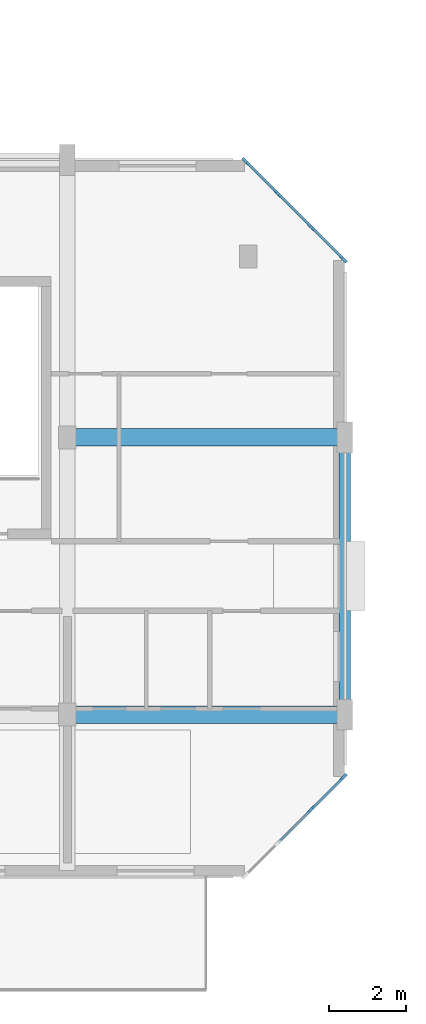
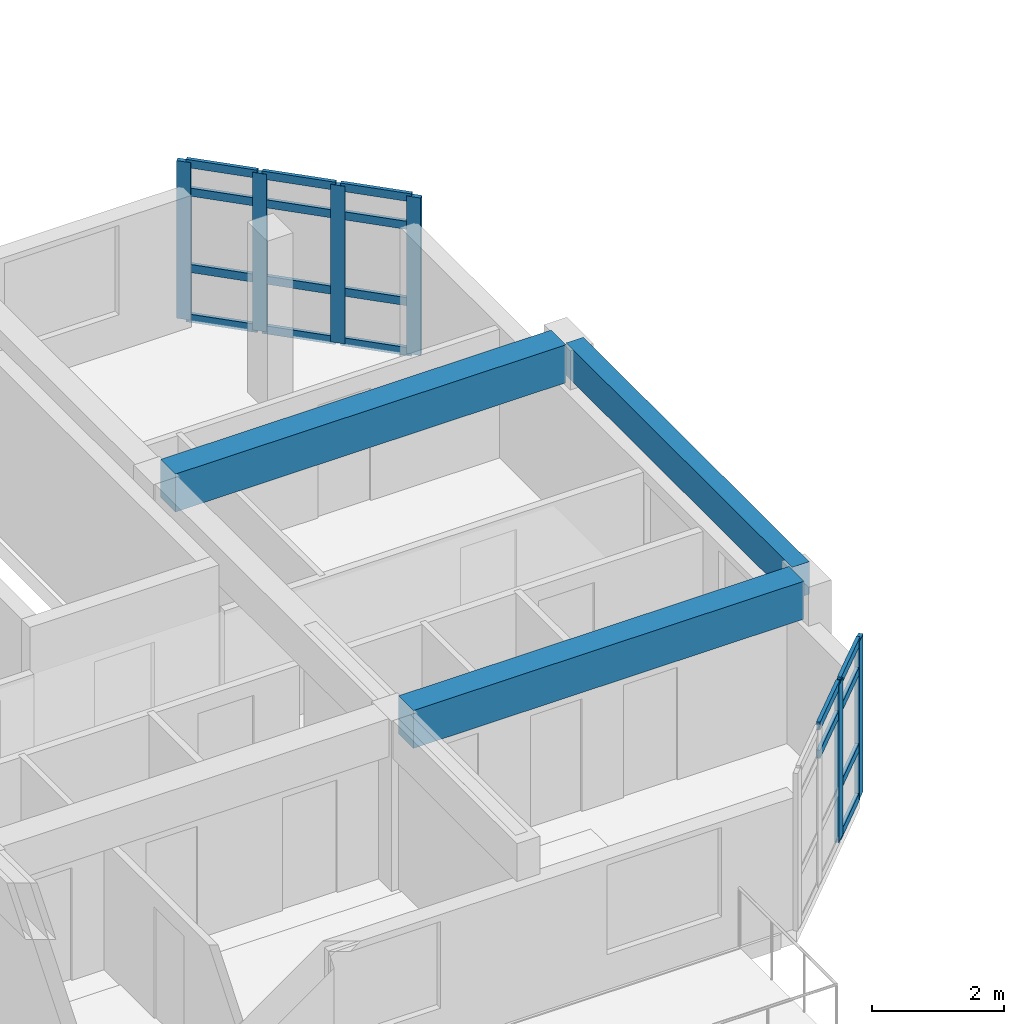
# One storey, part 4 of 40: 24 members, 3 beams, 2 elements without a shape of their own.
"""IFC4 building model written with IfcOpenShell, lengths in metres."""

from ifc_helpers import new_model, si_unit, direction, frame, origin, origin_2d, place, context, subcontext, project, spatial, rectangle, extrude, material, layer, layer_set, material_profile, profile_set, type_object, element, aggregate, save


model = new_model("IFC4")

# Units and contexts
model_context = context("Model", 3, precision=1e-05, world=origin(), true_north=direction((0.0, 1.0)))
body_context = subcontext(model_context, "Body", "Model", "MODEL_VIEW")
ifc_project = project(units=[si_unit("LENGTHUNIT", "METRE"), si_unit("AREAUNIT", "SQUARE_METRE"), si_unit("VOLUMEUNIT", "CUBIC_METRE"), si_unit("PLANEANGLEUNIT", "RADIAN"), si_unit("MASSUNIT", "GRAM", prefix="KILO")], contexts=[model_context])

# Site, building, storey
site_placement = place(None, origin())
site = spatial("IfcSite", under=ifc_project, at=site_placement, CompositionType="ELEMENT")
building_placement = place(site_placement, origin())
building = spatial("IfcBuilding", under=site, at=building_placement, Name="Ochrevale Crest", CompositionType="ELEMENT")
storey_placement = place(building_placement, frame((0.0, 0.0, 27.60009765625)))
storey = spatial("IfcBuildingStorey", under=building, at=storey_placement, Name="L08", CompositionType="ELEMENT", Elevation=27.60009765625)

# Beams
ifc_material_1 = material(Name="Concrete C50/60", Category="concrete")
ifc_material_profile_1 = material_profile(ifc_material_1, rectangle(XDim=0.449951171875, YDim=0.699951171875, at=origin_2d()), Name="RC 450x700")
ifc_profile_set_1 = profile_set([ifc_material_profile_1], Name="Concrete C50/60")
beam_type_1 = type_object("IfcBeamType", Name="BM-PG450x700", PredefinedType="USERDEFINED", material=ifc_profile_set_1)
for number, where, z_axis, x_axis, name in (
    (1, (29.0, 21.60009765625, 2.7998046875), (1.0, 0.0, 0.0), (0.0, 1.0, 0.0), "Block A L08 E-W beam Y=21.6"),
    (2, (29.0, 28.800048828125, 2.7998046875), (1.0, 0.0, 0.0), (0.0, 1.0, 0.0), "Block A L08 E-W beam Y=28.8"),
):
    element("IfcBeam", number, at=place(storey_placement, frame(where, z_axis=z_axis, x_axis=x_axis)), inside=storey, type_object=beam_type_1, Name=name, ObjectType="GIRDER", PredefinedType="USERDEFINED", context=body_context, shape_type="SweptSolid", body=[
        extrude(rectangle(XDim=0.449951171875, YDim=0.699951171875, at=origin_2d()), origin(), (0.0, 0.0, 1.0), 6.824951171875),
    ])
ifc_material_2 = material(Name="Precast concrete C40/50", Category="concrete")
ifc_material_profile_2 = material_profile(ifc_material_2, rectangle(XDim=0.300048828125, YDim=0.60009765625, at=origin_2d()), Name="PC 300x600")
ifc_profile_set_2 = profile_set([ifc_material_profile_2], Name="Precast concrete C40/50")
beam_type_2 = type_object("IfcBeamType", Name="BM-SP300x600", PredefinedType="SPANDREL", material=ifc_profile_set_2)
beam_placement = place(storey_placement, frame((36.0, 21.780029296875, 2.849853515625), z_axis=(0.0, 1.0, 0.0), x_axis=(-1.0, 0.0, 0.0)))
element("IfcBeam", 3, at=beam_placement, inside=storey, type_object=beam_type_2, Name="Block A L08 N-S beam X=36.0", PredefinedType="SPANDREL", context=body_context, shape_type="SweptSolid", body=[
    extrude(rectangle(XDim=0.300048828125, YDim=0.60009765625, at=origin_2d()), origin(), (0.0, 0.0, 1.0), 6.840087890625),
])

# Curtain wall, members
ifc_material_3 = material(Name="Anodised aluminium 6063-T5", Category="aluminium")
ifc_layer_1 = layer(ifc_material_3, 0.14990234375)
ifc_layer_set_1 = layer_set([ifc_layer_1], Name="Anodised aluminium 6063-T5")
curtain_wall_type_1 = type_object("IfcCurtainWallType", Name="CW-WG-240x285", PredefinedType="NOTDEFINED", material=ifc_layer_set_1)
curtain_wall_1_placement = place(storey_placement, origin())
curtain_wall_1 = element("IfcCurtainWall", 4, at=curtain_wall_1_placement, inside=storey, type_object=curtain_wall_type_1, Name="Block A L08 chamfered corner wintergarden curtain wall 2", PredefinedType="NOTDEFINED")
ifc_material_profile_3 = material_profile(ifc_material_3, rectangle(XDim=0.074951171875, YDim=0.219970703125, at=origin_2d()), Name="ALU 75x220")
ifc_profile_set_3 = profile_set([ifc_material_profile_3], Name="Anodised aluminium 6063-T5")
member_type_1 = type_object("IfcMemberType", Name="CW-MUL-75x220", PredefinedType="MULLION", material=ifc_profile_set_3)
member_1_placement = place(storey_placement, frame((35.13330078125, 19.13330078125, 0.0), z_axis=(0.0, 0.0, 1.0), x_axis=(-0.707106781187, 0.707106781187, 0.0)))
member_1 = element("IfcMember", 5, at=member_1_placement, type_object=member_type_1, Name="CW15 mullion 3", PredefinedType="MULLION", context=body_context, shape_type="SweptSolid", body=[
    extrude(rectangle(XDim=0.074951171875, YDim=0.219970703125, at=origin_2d()), origin(), (0.0, 0.0, 1.0), 2.909912109375),
])
member_2_placement = place(storey_placement, frame((35.973388671875, 19.973388671875, 0.0), z_axis=(0.0, 0.0, 1.0), x_axis=(-0.707106781187, 0.707106781187, 0.0)))
member_2 = element("IfcMember", 6, at=member_2_placement, type_object=member_type_1, Name="CW15 mullion 4", PredefinedType="MULLION", context=body_context, shape_type="SweptSolid", body=[
    extrude(rectangle(XDim=0.074951171875, YDim=0.219970703125, at=origin_2d()), origin(), (0.0, 0.0, 1.0), 2.909912109375),
])

ifc_layer_2 = layer(ifc_material_3, 0.14990234375)
ifc_layer_set_2 = layer_set([ifc_layer_2], Name="Anodised aluminium 6063-T5")
curtain_wall_type_2 = type_object("IfcCurtainWallType", Name="CW-WG-320x285", PredefinedType="NOTDEFINED", material=ifc_layer_set_2)
curtain_wall_2_placement = place(storey_placement, origin())
curtain_wall_2 = element("IfcCurtainWall", 7, at=curtain_wall_2_placement, inside=storey, type_object=curtain_wall_type_2, Name="Block A L08 chamfered corner wintergarden curtain wall 4", PredefinedType="NOTDEFINED")
member_3_placement = place(storey_placement, frame((35.973388671875, 33.426513671875, 0.0), z_axis=(0.0, 0.0, 1.0), x_axis=(-0.707106781187, -0.707106781187, 0.0)))
member_3 = element("IfcMember", 8, at=member_3_placement, type_object=member_type_1, Name="CW17 mullion 1", PredefinedType="MULLION", context=body_context, shape_type="SweptSolid", body=[
    extrude(rectangle(XDim=0.074951171875, YDim=0.219970703125, at=origin_2d()), origin(), (0.0, 0.0, 1.0), 2.909912109375),
])
member_4_placement = place(storey_placement, frame((35.13330078125, 34.2666015625, 0.0), z_axis=(0.0, 0.0, 1.0), x_axis=(-0.707106781187, -0.707106781187, 0.0)))
member_4 = element("IfcMember", 9, at=member_4_placement, type_object=member_type_1, Name="CW17 mullion 2", PredefinedType="MULLION", context=body_context, shape_type="SweptSolid", body=[
    extrude(rectangle(XDim=0.074951171875, YDim=0.219970703125, at=origin_2d()), origin(), (0.0, 0.0, 1.0), 2.909912109375),
])
member_5_placement = place(storey_placement, frame((34.2666015625, 35.13330078125, 0.0), z_axis=(0.0, 0.0, 1.0), x_axis=(-0.707106781187, -0.707106781187, 0.0)))
member_5 = element("IfcMember", 10, at=member_5_placement, type_object=member_type_1, Name="CW17 mullion 3", PredefinedType="MULLION", context=body_context, shape_type="SweptSolid", body=[
    extrude(rectangle(XDim=0.074951171875, YDim=0.219970703125, at=origin_2d()), origin(), (0.0, 0.0, 1.0), 2.909912109375),
])
member_6_placement = place(storey_placement, frame((33.426513671875, 35.973388671875, 0.0), z_axis=(0.0, 0.0, 1.0), x_axis=(-0.707106781187, -0.707106781187, 0.0)))
member_6 = element("IfcMember", 11, at=member_6_placement, type_object=member_type_1, Name="CW17 mullion 4", PredefinedType="MULLION", context=body_context, shape_type="SweptSolid", body=[
    extrude(rectangle(XDim=0.074951171875, YDim=0.219970703125, at=origin_2d()), origin(), (0.0, 0.0, 1.0), 2.909912109375),
])

# Member
ifc_material_profile_4 = material_profile(ifc_material_3, rectangle(XDim=0.06005859375, YDim=0.14990234375, at=origin_2d()), Name="ALU 60x150")
ifc_profile_set_4 = profile_set([ifc_material_profile_4], Name="Anodised aluminium 6063-T5")
member_type_2 = type_object("IfcMemberType", Name="CW-TRN-60x150", PredefinedType="USERDEFINED", material=ifc_profile_set_4)
member_7_placement = place(storey_placement, frame((34.293212890625, 18.293212890625, 2.35986328125), z_axis=(0.707106781187, 0.707106781187, 0.0), x_axis=(-0.707106781187, 0.707106781187, 0.0)))
member_7 = element("IfcMember", 12, at=member_7_placement, type_object=member_type_2, Name="CW15 transom 2.3", ObjectType="TRANSOM", PredefinedType="USERDEFINED", context=body_context, shape_type="SweptSolid", body=[
    extrude(rectangle(XDim=0.06005859375, YDim=0.14990234375, at=origin_2d()), origin(), (0.0, 0.0, 1.0), 1.15087890625),
])

member_8_placement = place(storey_placement, frame((34.293212890625, 18.293212890625, 2.8798828125), z_axis=(0.707106781187, 0.707106781187, 0.0), x_axis=(-0.707106781187, 0.707106781187, 0.0)))
member_8 = element("IfcMember", 13, at=member_8_placement, type_object=member_type_2, Name="CW15 transom 2.4", ObjectType="TRANSOM", PredefinedType="USERDEFINED", context=body_context, shape_type="SweptSolid", body=[
    extrude(rectangle(XDim=0.06005859375, YDim=0.14990234375, at=origin_2d()), origin(), (0.0, 0.0, 1.0), 1.15087890625),
])

member_9_placement = place(storey_placement, frame((35.159912109375, 19.159912109375, 0.02978515625), z_axis=(0.707106781187, 0.707106781187, 0.0), x_axis=(-0.707106781187, 0.707106781187, 0.0)))
member_9 = element("IfcMember", 14, at=member_9_placement, type_object=member_type_2, Name="CW15 transom 3.1", ObjectType="TRANSOM", PredefinedType="USERDEFINED", context=body_context, shape_type="SweptSolid", body=[
    extrude(rectangle(XDim=0.06005859375, YDim=0.14990234375, at=origin_2d()), origin(), (0.0, 0.0, 1.0), 1.113037109375),
])

member_10_placement = place(storey_placement, frame((35.159912109375, 19.159912109375, 0.949951171875), z_axis=(0.707106781187, 0.707106781187, 0.0), x_axis=(-0.707106781187, 0.707106781187, 0.0)))
member_10 = element("IfcMember", 15, at=member_10_placement, type_object=member_type_2, Name="CW15 transom 3.2", ObjectType="TRANSOM", PredefinedType="USERDEFINED", context=body_context, shape_type="SweptSolid", body=[
    extrude(rectangle(XDim=0.06005859375, YDim=0.14990234375, at=origin_2d()), origin(), (0.0, 0.0, 1.0), 1.113037109375),
])

member_11_placement = place(storey_placement, frame((35.159912109375, 19.159912109375, 2.35986328125), z_axis=(0.707106781187, 0.707106781187, 0.0), x_axis=(-0.707106781187, 0.707106781187, 0.0)))
member_11 = element("IfcMember", 16, at=member_11_placement, type_object=member_type_2, Name="CW15 transom 3.3", ObjectType="TRANSOM", PredefinedType="USERDEFINED", context=body_context, shape_type="SweptSolid", body=[
    extrude(rectangle(XDim=0.06005859375, YDim=0.14990234375, at=origin_2d()), origin(), (0.0, 0.0, 1.0), 1.113037109375),
])

member_12_placement = place(storey_placement, frame((35.159912109375, 19.159912109375, 2.8798828125), z_axis=(0.707106781187, 0.707106781187, 0.0), x_axis=(-0.707106781187, 0.707106781187, 0.0)))
member_12 = element("IfcMember", 17, at=member_12_placement, type_object=member_type_2, Name="CW15 transom 3.4", ObjectType="TRANSOM", PredefinedType="USERDEFINED", context=body_context, shape_type="SweptSolid", body=[
    extrude(rectangle(XDim=0.06005859375, YDim=0.14990234375, at=origin_2d()), origin(), (0.0, 0.0, 1.0), 1.113037109375),
])

aggregate(curtain_wall_1, [member_1, member_2, member_7, member_8, member_9, member_10, member_11, member_12])

member_13_placement = place(storey_placement, frame((35.947021484375, 33.453125, 0.02978515625), z_axis=(-0.707106781187, 0.707106781187, 0.0), x_axis=(-0.707106781187, -0.707106781187, 0.0)))
member_13 = element("IfcMember", 18, at=member_13_placement, type_object=member_type_2, Name="CW17 transom 1.1", ObjectType="TRANSOM", PredefinedType="USERDEFINED", context=body_context, shape_type="SweptSolid", body=[
    extrude(rectangle(XDim=0.06005859375, YDim=0.14990234375, at=origin_2d()), origin(), (0.0, 0.0, 1.0), 1.113037109375),
])

member_14_placement = place(storey_placement, frame((35.947021484375, 33.453125, 0.949951171875), z_axis=(-0.707106781187, 0.707106781187, 0.0), x_axis=(-0.707106781187, -0.707106781187, 0.0)))
member_14 = element("IfcMember", 19, at=member_14_placement, type_object=member_type_2, Name="CW17 transom 1.2", ObjectType="TRANSOM", PredefinedType="USERDEFINED", context=body_context, shape_type="SweptSolid", body=[
    extrude(rectangle(XDim=0.06005859375, YDim=0.14990234375, at=origin_2d()), origin(), (0.0, 0.0, 1.0), 1.113037109375),
])

member_15_placement = place(storey_placement, frame((35.947021484375, 33.453125, 2.35986328125), z_axis=(-0.707106781187, 0.707106781187, 0.0), x_axis=(-0.707106781187, -0.707106781187, 0.0)))
member_15 = element("IfcMember", 20, at=member_15_placement, type_object=member_type_2, Name="CW17 transom 1.3", ObjectType="TRANSOM", PredefinedType="USERDEFINED", context=body_context, shape_type="SweptSolid", body=[
    extrude(rectangle(XDim=0.06005859375, YDim=0.14990234375, at=origin_2d()), origin(), (0.0, 0.0, 1.0), 1.113037109375),
])

member_16_placement = place(storey_placement, frame((35.947021484375, 33.453125, 2.8798828125), z_axis=(-0.707106781187, 0.707106781187, 0.0), x_axis=(-0.707106781187, -0.707106781187, 0.0)))
member_16 = element("IfcMember", 21, at=member_16_placement, type_object=member_type_2, Name="CW17 transom 1.4", ObjectType="TRANSOM", PredefinedType="USERDEFINED", context=body_context, shape_type="SweptSolid", body=[
    extrude(rectangle(XDim=0.06005859375, YDim=0.14990234375, at=origin_2d()), origin(), (0.0, 0.0, 1.0), 1.113037109375),
])

member_17_placement = place(storey_placement, frame((35.10693359375, 34.293212890625, 0.02978515625), z_axis=(-0.707106781187, 0.707106781187, 0.0), x_axis=(-0.707106781187, -0.707106781187, 0.0)))
member_17 = element("IfcMember", 22, at=member_17_placement, type_object=member_type_2, Name="CW17 transom 2.1", ObjectType="TRANSOM", PredefinedType="USERDEFINED", context=body_context, shape_type="SweptSolid", body=[
    extrude(rectangle(XDim=0.06005859375, YDim=0.14990234375, at=origin_2d()), origin(), (0.0, 0.0, 1.0), 1.15087890625),
])

member_18_placement = place(storey_placement, frame((35.10693359375, 34.293212890625, 0.949951171875), z_axis=(-0.707106781187, 0.707106781187, 0.0), x_axis=(-0.707106781187, -0.707106781187, 0.0)))
member_18 = element("IfcMember", 23, at=member_18_placement, type_object=member_type_2, Name="CW17 transom 2.2", ObjectType="TRANSOM", PredefinedType="USERDEFINED", context=body_context, shape_type="SweptSolid", body=[
    extrude(rectangle(XDim=0.06005859375, YDim=0.14990234375, at=origin_2d()), origin(), (0.0, 0.0, 1.0), 1.15087890625),
])

member_19_placement = place(storey_placement, frame((35.10693359375, 34.293212890625, 2.35986328125), z_axis=(-0.707106781187, 0.707106781187, 0.0), x_axis=(-0.707106781187, -0.707106781187, 0.0)))
member_19 = element("IfcMember", 24, at=member_19_placement, type_object=member_type_2, Name="CW17 transom 2.3", ObjectType="TRANSOM", PredefinedType="USERDEFINED", context=body_context, shape_type="SweptSolid", body=[
    extrude(rectangle(XDim=0.06005859375, YDim=0.14990234375, at=origin_2d()), origin(), (0.0, 0.0, 1.0), 1.15087890625),
])

member_20_placement = place(storey_placement, frame((35.10693359375, 34.293212890625, 2.8798828125), z_axis=(-0.707106781187, 0.707106781187, 0.0), x_axis=(-0.707106781187, -0.707106781187, 0.0)))
member_20 = element("IfcMember", 25, at=member_20_placement, type_object=member_type_2, Name="CW17 transom 2.4", ObjectType="TRANSOM", PredefinedType="USERDEFINED", context=body_context, shape_type="SweptSolid", body=[
    extrude(rectangle(XDim=0.06005859375, YDim=0.14990234375, at=origin_2d()), origin(), (0.0, 0.0, 1.0), 1.15087890625),
])

member_21_placement = place(storey_placement, frame((34.240234375, 35.159912109375, 0.02978515625), z_axis=(-0.707106781187, 0.707106781187, 0.0), x_axis=(-0.707106781187, -0.707106781187, 0.0)))
member_21 = element("IfcMember", 26, at=member_21_placement, type_object=member_type_2, Name="CW17 transom 3.1", ObjectType="TRANSOM", PredefinedType="USERDEFINED", context=body_context, shape_type="SweptSolid", body=[
    extrude(rectangle(XDim=0.06005859375, YDim=0.14990234375, at=origin_2d()), origin(), (0.0, 0.0, 1.0), 1.113037109375),
])

member_22_placement = place(storey_placement, frame((34.240234375, 35.159912109375, 0.949951171875), z_axis=(-0.707106781187, 0.707106781187, 0.0), x_axis=(-0.707106781187, -0.707106781187, 0.0)))
member_22 = element("IfcMember", 27, at=member_22_placement, type_object=member_type_2, Name="CW17 transom 3.2", ObjectType="TRANSOM", PredefinedType="USERDEFINED", context=body_context, shape_type="SweptSolid", body=[
    extrude(rectangle(XDim=0.06005859375, YDim=0.14990234375, at=origin_2d()), origin(), (0.0, 0.0, 1.0), 1.113037109375),
])

member_23_placement = place(storey_placement, frame((34.240234375, 35.159912109375, 2.35986328125), z_axis=(-0.707106781187, 0.707106781187, 0.0), x_axis=(-0.707106781187, -0.707106781187, 0.0)))
member_23 = element("IfcMember", 28, at=member_23_placement, type_object=member_type_2, Name="CW17 transom 3.3", ObjectType="TRANSOM", PredefinedType="USERDEFINED", context=body_context, shape_type="SweptSolid", body=[
    extrude(rectangle(XDim=0.06005859375, YDim=0.14990234375, at=origin_2d()), origin(), (0.0, 0.0, 1.0), 1.113037109375),
])

member_24_placement = place(storey_placement, frame((34.240234375, 35.159912109375, 2.8798828125), z_axis=(-0.707106781187, 0.707106781187, 0.0), x_axis=(-0.707106781187, -0.707106781187, 0.0)))
member_24 = element("IfcMember", 29, at=member_24_placement, type_object=member_type_2, Name="CW17 transom 3.4", ObjectType="TRANSOM", PredefinedType="USERDEFINED", context=body_context, shape_type="SweptSolid", body=[
    extrude(rectangle(XDim=0.06005859375, YDim=0.14990234375, at=origin_2d()), origin(), (0.0, 0.0, 1.0), 1.113037109375),
])

aggregate(curtain_wall_2, [member_3, member_4, member_5, member_6, member_13, member_14, member_15, member_16, member_17, member_18, member_19, member_20, member_21, member_22, member_23, member_24])

save(model, "model.ifc")
